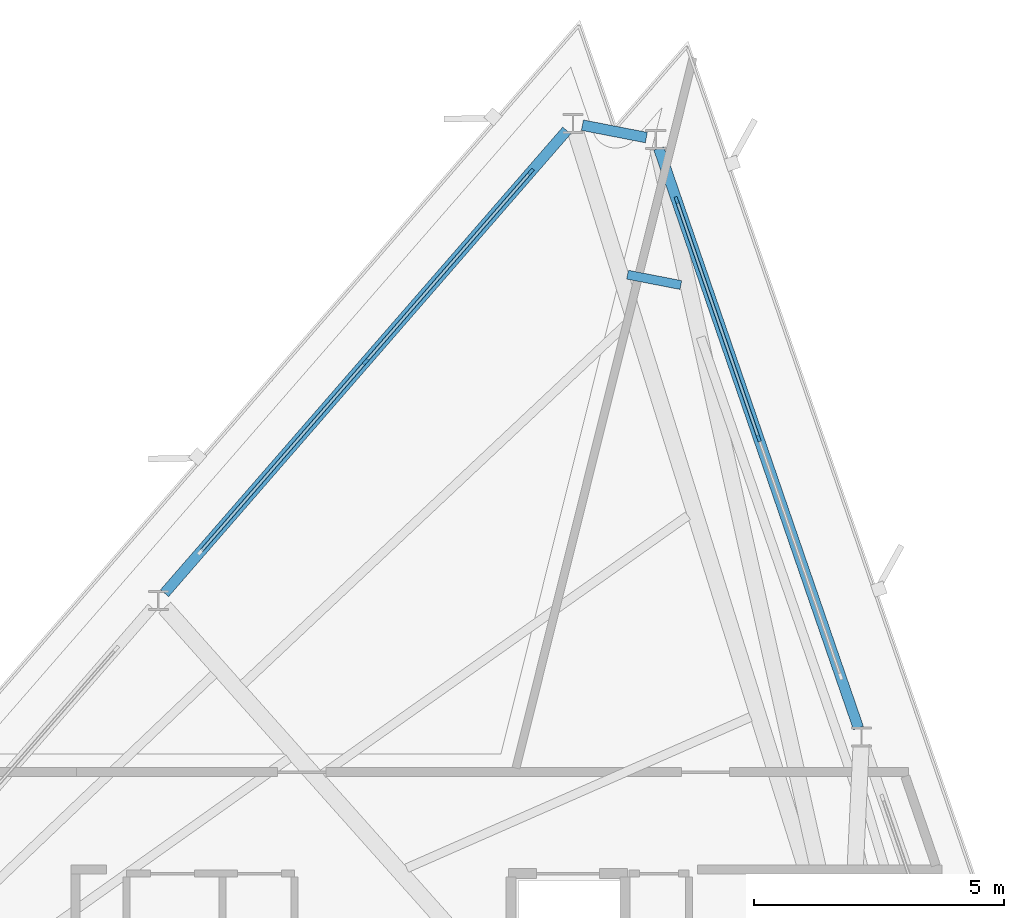
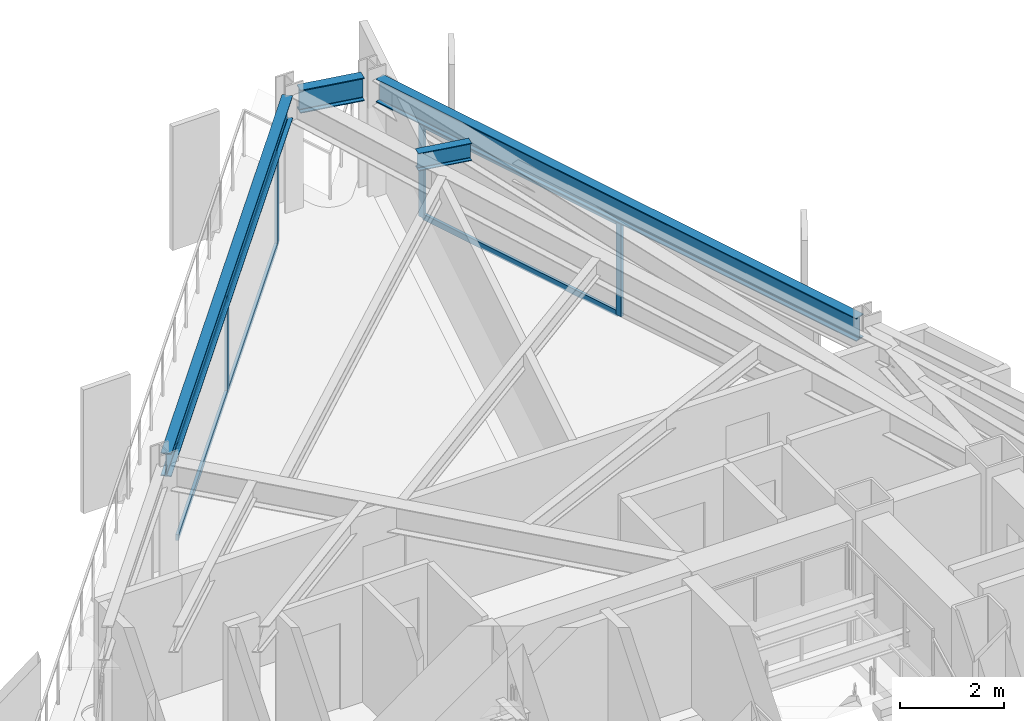
# One storey, part 7 of 13: 10 members, 4 beams, 2 elements without a shape of their own.
"""IFC4 building model written with IfcOpenShell, lengths in metres."""

from ifc_helpers import new_model, si_unit, direction, frame, origin, origin_2d, place, context, subcontext, project, spatial, rectangle, i_section, extrude, material, layer, layer_set, material_profile, profile_set, type_object, element, aggregate, save


model = new_model("IFC4")

# Units and contexts
model_context = context("Model", 3, precision=1e-05, world=origin(), true_north=direction((0.0, 1.0)))
body_context = subcontext(model_context, "Body", "Model", "MODEL_VIEW")
ifc_project = project(units=[si_unit("LENGTHUNIT", "METRE"), si_unit("AREAUNIT", "SQUARE_METRE"), si_unit("VOLUMEUNIT", "CUBIC_METRE"), si_unit("PLANEANGLEUNIT", "RADIAN"), si_unit("MASSUNIT", "GRAM", prefix="KILO")], contexts=[model_context])

# Site, building, storey
site_placement = place(None, origin())
site = spatial("IfcSite", under=ifc_project, at=site_placement, CompositionType="ELEMENT")
building_placement = place(site_placement, origin())
building = spatial("IfcBuilding", under=site, at=building_placement, Name="Rocaltana Carrier Exchange", CompositionType="ELEMENT")
storey_placement = place(building_placement, frame((0.0, 0.0, 150.239990234375)))
storey = spatial("IfcBuildingStorey", under=building, at=storey_placement, Name="L47", CompositionType="ELEMENT", Elevation=150.239990234375)

# Curtain wall, members
ifc_material_1 = material(Name="Aluminium 6063-T6", Category="aluminium")
ifc_layer = layer(ifc_material_1, 0.135009765625)
ifc_layer_set = layer_set([ifc_layer], Name="Aluminium 6063-T6")
curtain_wall_type = type_object("IfcCurtainWallType", Name="Upper-Mid Acoustic Curtain Wall CW-04", PredefinedType="NOTDEFINED", material=ifc_layer_set)
curtain_wall_1_placement = place(storey_placement, origin())
curtain_wall_1 = element("IfcCurtainWall", 1, at=curtain_wall_1_placement, inside=storey, type_object=curtain_wall_type, Name="L47 CW-04 Run CW-L47-F1S3", PredefinedType="NOTDEFINED")
ifc_material_2 = material(Name="Aluminium 6063-T6", Category="aluminium")
ifc_material_profile_1 = material_profile(ifc_material_2, rectangle(XDim=0.06494140625, YDim=0.135009765625, at=origin_2d()), Name="AL-65X135")
ifc_profile_set_1 = profile_set([ifc_material_profile_1], Name="Aluminium 6063-T6")
member_type_1 = type_object("IfcMemberType", Name="CW-04 Mullion AL-65X135", PredefinedType="MULLION", material=ifc_profile_set_1)
member_1_placement = place(storey_placement, frame((7.151611328125, 15.82373046875, 0.0), z_axis=(0.0, 0.0, 1.0), x_axis=(-0.945521800517, -0.325558788464, 0.0)))
member_1 = element("IfcMember", 2, at=member_1_placement, type_object=member_type_1, Name="CW-04 mullion 2", PredefinedType="MULLION", context=body_context, shape_type="SweptSolid", body=[
    extrude(rectangle(XDim=0.06494140625, YDim=0.135009765625, at=origin_2d()), origin(), (0.0, 0.0, 1.0), 2.218017578125),
])
member_2_placement = place(storey_placement, frame((5.5126953125, 20.583740234375, 0.0), z_axis=(0.0, 0.0, 1.0), x_axis=(-0.945521800517, -0.325558788464, 0.0)))
member_2 = element("IfcMember", 3, at=member_2_placement, type_object=member_type_1, Name="CW-04 mullion 3", PredefinedType="MULLION", context=body_context, shape_type="SweptSolid", body=[
    extrude(rectangle(XDim=0.06494140625, YDim=0.135009765625, at=origin_2d()), origin(), (0.0, 0.0, 1.0), 2.218017578125),
])

curtain_wall_2_placement = place(storey_placement, origin())
curtain_wall_2 = element("IfcCurtainWall", 4, at=curtain_wall_2_placement, inside=storey, type_object=curtain_wall_type, Name="L47 CW-04 Run CW-L47-F2S1", PredefinedType="NOTDEFINED")
member_3_placement = place(storey_placement, frame((2.599609375, 21.14990234375, 0.0), z_axis=(0.0, 0.0, 1.0), x_axis=(0.75471173919, -0.656056545375, 0.0)))
member_3 = element("IfcMember", 5, at=member_3_placement, type_object=member_type_1, Name="CW-04 mullion 1", PredefinedType="MULLION", context=body_context, shape_type="SweptSolid", body=[
    extrude(rectangle(XDim=0.06494140625, YDim=0.135009765625, at=origin_2d()), origin(), (0.0, 0.0, 1.0), 2.218017578125),
])
member_4_placement = place(storey_placement, frame((-0.703125, 17.3505859375, 0.0), z_axis=(0.0, 0.0, 1.0), x_axis=(0.75471173919, -0.656056545375, 0.0)))
member_4 = element("IfcMember", 6, at=member_4_placement, type_object=member_type_1, Name="CW-04 mullion 2", PredefinedType="MULLION", context=body_context, shape_type="SweptSolid", body=[
    extrude(rectangle(XDim=0.06494140625, YDim=0.135009765625, at=origin_2d()), origin(), (0.0, 0.0, 1.0), 2.218017578125),
])

# Member
ifc_material_3 = material(Name="Aluminium 6063-T6", Category="aluminium")
ifc_material_profile_2 = material_profile(ifc_material_3, rectangle(XDim=0.06494140625, YDim=0.135009765625, at=origin_2d()), Name="AL-65X135")
ifc_profile_set_2 = profile_set([ifc_material_profile_2], Name="Aluminium 6063-T6")
member_type_2 = type_object("IfcMemberType", Name="CW-04 Transom AL-65X135", PredefinedType="USERDEFINED", material=ifc_profile_set_2)
member_5_placement = place(storey_placement, frame((7.140869140625, 15.8544921875, 0.032470703125), z_axis=(-0.325542462737, 0.945527421578, 0.0), x_axis=(-0.945527421578, -0.325542462737, 0.0)))
member_5 = element("IfcMember", 7, at=member_5_placement, type_object=member_type_2, Name="CW-04 transom 2.1", ObjectType="TRANSOM", PredefinedType="USERDEFINED", context=body_context, shape_type="SweptSolid", body=[
    extrude(rectangle(XDim=0.06494140625, YDim=0.135009765625, at=origin_2d()), origin(), (0.0, 0.0, 1.0), 4.96923828125),
])

member_6_placement = place(storey_placement, frame((7.140869140625, 15.8544921875, 2.185546875), z_axis=(-0.325542462737, 0.945527421578, 0.0), x_axis=(-0.945527421578, -0.325542462737, 0.0)))
member_6 = element("IfcMember", 8, at=member_6_placement, type_object=member_type_2, Name="CW-04 transom 2.2", ObjectType="TRANSOM", PredefinedType="USERDEFINED", context=body_context, shape_type="SweptSolid", body=[
    extrude(rectangle(XDim=0.06494140625, YDim=0.135009765625, at=origin_2d()), origin(), (0.0, 0.0, 1.0), 4.96923828125),
])

aggregate(curtain_wall_1, [member_1, member_2, member_5, member_6])

member_7_placement = place(storey_placement, frame((2.578369140625, 21.125244140625, 0.032470703125), z_axis=(-0.656083834105, -0.75468801675, 0.0), x_axis=(0.75468801675, -0.656083834105, 0.0)))
member_7 = element("IfcMember", 9, at=member_7_placement, type_object=member_type_2, Name="CW-04 transom 1.1", ObjectType="TRANSOM", PredefinedType="USERDEFINED", context=body_context, shape_type="SweptSolid", body=[
    extrude(rectangle(XDim=0.06494140625, YDim=0.135009765625, at=origin_2d()), origin(), (0.0, 0.0, 1.0), 4.96923828125),
])

member_8_placement = place(storey_placement, frame((2.578369140625, 21.125244140625, 2.185546875), z_axis=(-0.656083834105, -0.75468801675, 0.0), x_axis=(0.75468801675, -0.656083834105, 0.0)))
member_8 = element("IfcMember", 10, at=member_8_placement, type_object=member_type_2, Name="CW-04 transom 1.2", ObjectType="TRANSOM", PredefinedType="USERDEFINED", context=body_context, shape_type="SweptSolid", body=[
    extrude(rectangle(XDim=0.06494140625, YDim=0.135009765625, at=origin_2d()), origin(), (0.0, 0.0, 1.0), 4.96923828125),
])

member_9_placement = place(storey_placement, frame((-0.724365234375, 17.325927734375, 0.032470703125), z_axis=(-0.656055850486, -0.754712343243, 0.0), x_axis=(0.754712343243, -0.656055850486, 0.0)))
member_9 = element("IfcMember", 11, at=member_9_placement, type_object=member_type_2, Name="CW-04 transom 2.1", ObjectType="TRANSOM", PredefinedType="USERDEFINED", context=body_context, shape_type="SweptSolid", body=[
    extrude(rectangle(XDim=0.06494140625, YDim=0.135009765625, at=origin_2d()), origin(), (0.0, 0.0, 1.0), 4.968994140625),
])

member_10_placement = place(storey_placement, frame((-0.724365234375, 17.325927734375, 2.185546875), z_axis=(-0.656055850486, -0.754712343243, 0.0), x_axis=(0.754712343243, -0.656055850486, 0.0)))
member_10 = element("IfcMember", 12, at=member_10_placement, type_object=member_type_2, Name="CW-04 transom 2.2", ObjectType="TRANSOM", PredefinedType="USERDEFINED", context=body_context, shape_type="SweptSolid", body=[
    extrude(rectangle(XDim=0.06494140625, YDim=0.135009765625, at=origin_2d()), origin(), (0.0, 0.0, 1.0), 4.968994140625),
])

aggregate(curtain_wall_2, [member_3, member_4, member_7, member_8, member_9, member_10])

# Beams
ifc_material_4 = material(Name="Steel S355", Category="steel")
ifc_material_profile_3 = material_profile(ifc_material_4, i_section(OverallWidth=0.179931640625, OverallDepth=0.4130859375, WebThickness=0.009765625, FlangeThickness=0.01611328125, FilletRadius=0.012939453125, at=origin_2d()), Name="W16X50")
ifc_profile_set_3 = profile_set([ifc_material_profile_3], Name="Steel S355")
beam_type_1 = type_object("IfcBeamType", Name="Floor Joist W16X50", PredefinedType="JOIST", material=ifc_profile_set_3)
beam_1_placement = place(storey_placement, frame((5.59716796875, 18.8857421875, 2.58154296875), z_axis=(-0.981629422322, 0.190797477004, 0.0), x_axis=(-0.190797477004, -0.981629422322, 0.0)))
element("IfcBeam", 13, at=beam_1_placement, inside=storey, type_object=beam_type_1, Name="FJ-L47-04-3", PredefinedType="JOIST", context=body_context, shape_type="SweptSolid", body=[
    extrude(i_section(OverallWidth=0.179931640625, OverallDepth=0.4130859375, WebThickness=0.009765625, FlangeThickness=0.01611328125, FilletRadius=0.012939453125, at=origin_2d()), origin(), (0.0, 0.0, 1.0), 1.08642578125),
])
ifc_material_5 = material(Name="Steel S355", Category="steel")
ifc_material_profile_4 = material_profile(ifc_material_5, i_section(OverallWidth=0.2119140625, OverallDepth=0.5439453125, WebThickness=0.01318359375, FlangeThickness=0.021240234375, FilletRadius=0.014892578125, at=origin_2d()), Name="W21X83")
ifc_profile_set_4 = profile_set([ifc_material_profile_4], Name="Steel S355")
beam_type_2 = type_object("IfcBeamType", Name="Spandrel Edge Beam W21X83", PredefinedType="SPANDREL", material=ifc_profile_set_4)
beam_2_placement = place(storey_placement, frame((9.145751953125, 10.0322265625, 2.51611328125), z_axis=(-0.32558099518, 0.945514154086, 0.0), x_axis=(-0.945514154086, -0.32558099518, 0.0)))
element("IfcBeam", 14, at=beam_2_placement, inside=storey, type_object=beam_type_2, Name="SP-L47-03", PredefinedType="SPANDREL", context=body_context, shape_type="SweptSolid", body=[
    extrude(i_section(OverallWidth=0.2119140625, OverallDepth=0.5439453125, WebThickness=0.01318359375, FlangeThickness=0.021240234375, FilletRadius=0.014892578125, at=origin_2d()), origin(), (0.0, 0.0, 1.0), 12.25048828125),
])
beam_3_placement = place(storey_placement, frame((4.906982421875, 21.832763671875, 2.51611328125), z_axis=(-0.981612461895, 0.190884715608, 0.0), x_axis=(-0.190884715608, -0.981612461895, 0.0)))
element("IfcBeam", 15, at=beam_3_placement, inside=storey, type_object=beam_type_2, Name="SP-L47-04", PredefinedType="SPANDREL", context=body_context, shape_type="SweptSolid", body=[
    extrude(i_section(OverallWidth=0.2119140625, OverallDepth=0.5439453125, WebThickness=0.01318359375, FlangeThickness=0.021240234375, FilletRadius=0.014892578125, at=origin_2d()), origin(), (0.0, 0.0, 1.0), 1.302001953125),
])
beam_4_placement = place(storey_placement, frame((3.3154296875, 21.973388671875, 2.51611328125), z_axis=(-0.65606029169, -0.754708482573, 0.0), x_axis=(0.754708482573, -0.65606029169, 0.0)))
element("IfcBeam", 16, at=beam_4_placement, inside=storey, type_object=beam_type_2, Name="SP-L47-05", PredefinedType="SPANDREL", context=body_context, shape_type="SweptSolid", body=[
    extrude(i_section(OverallWidth=0.2119140625, OverallDepth=0.5439453125, WebThickness=0.01318359375, FlangeThickness=0.021240234375, FilletRadius=0.014892578125, at=origin_2d()), origin(), (0.0, 0.0, 1.0), 12.25048828125),
])

save(model, "model.ifc")
